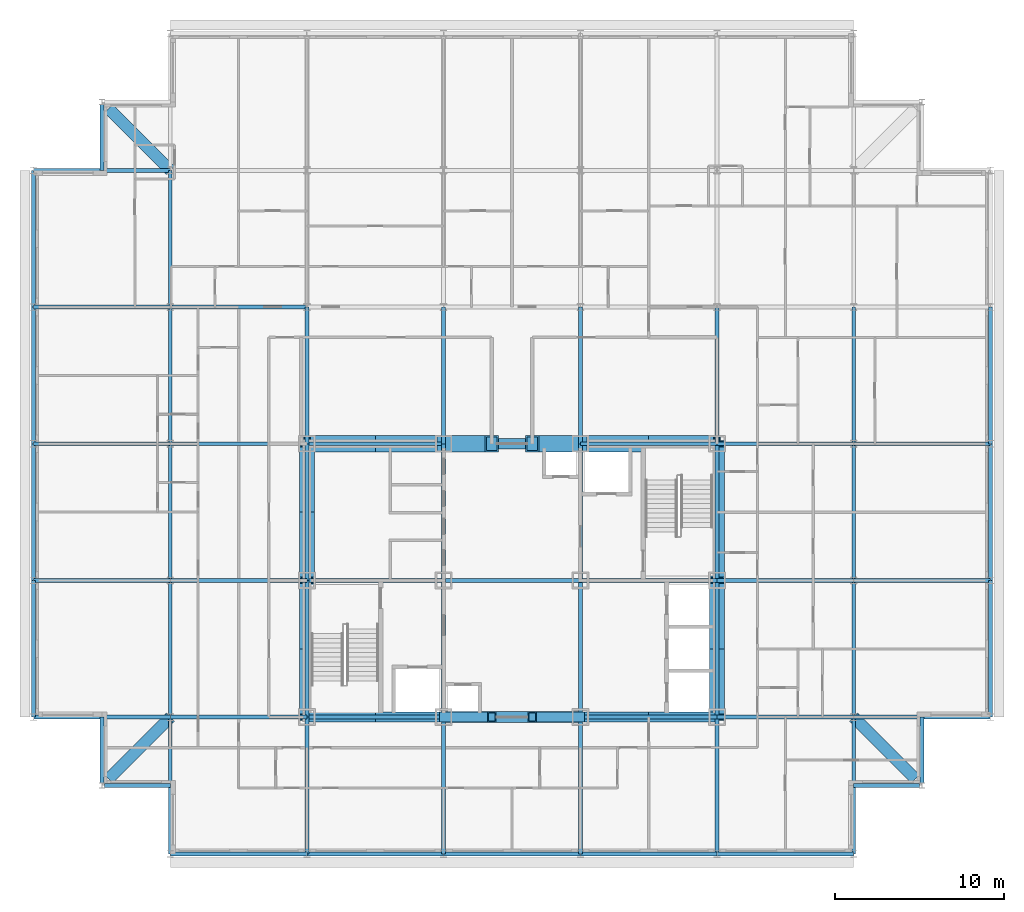
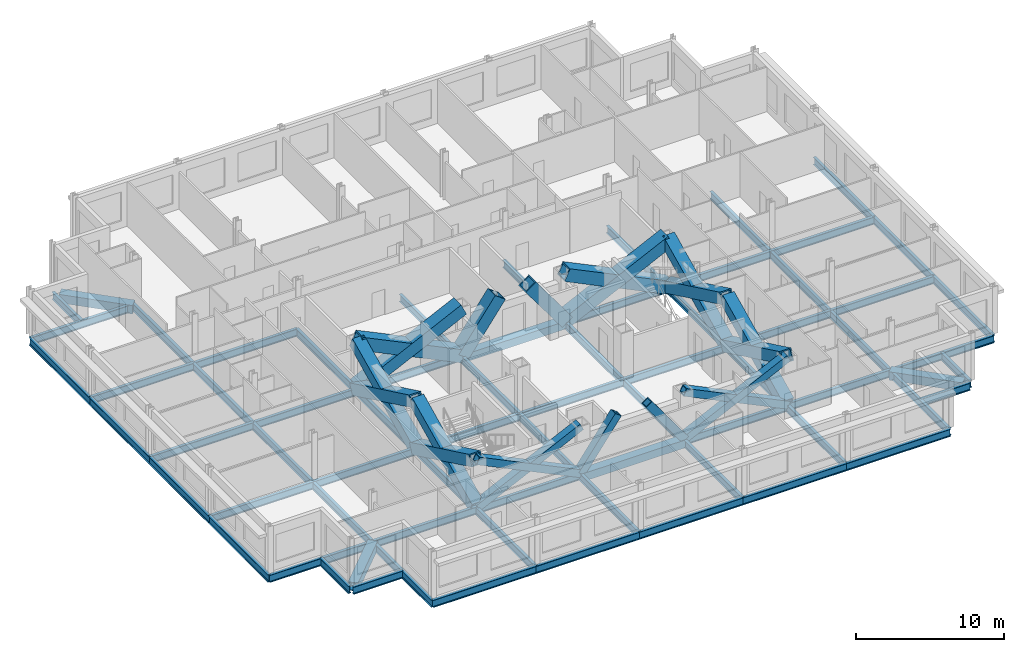
# One storey, part 5 of 15: 69 beams, 20 members.
"""IFC4 building model written with IfcOpenShell, lengths in metres."""

from ifc_helpers import new_model, si_unit, direction, frame, origin, origin_2d, place, context, subcontext, project, spatial, hollow_rectangle, i_section, extrude, material, material_profile, profile_set, type_object, element, save


model = new_model("IFC4")

# Units and contexts
model_context = context("Model", 3, precision=1e-05, world=origin(), true_north=direction((0.0, 1.0)))
body_context = subcontext(model_context, "Body", "Model", "MODEL_VIEW")
ifc_project = project(units=[si_unit("LENGTHUNIT", "METRE"), si_unit("AREAUNIT", "SQUARE_METRE"), si_unit("VOLUMEUNIT", "CUBIC_METRE"), si_unit("PLANEANGLEUNIT", "RADIAN"), si_unit("MASSUNIT", "GRAM", prefix="KILO")], contexts=[model_context])

# Site, building, storey
site_placement = place(None, origin())
site = spatial("IfcSite", under=ifc_project, at=site_placement, CompositionType="ELEMENT")
building_placement = place(site_placement, origin())
building = spatial("IfcBuilding", under=site, at=building_placement, Name="Kopane Lantern Tower", CompositionType="ELEMENT")
storey_placement = place(building_placement, frame((0.0, 0.0, 281.39990234375)))
storey = spatial("IfcBuildingStorey", under=building, at=storey_placement, Name="L72", CompositionType="ELEMENT", Elevation=281.39990234375)

# Members
ifc_material_1 = material(Name="Steel S355JR", Category="steel")
ifc_material_profile_1 = material_profile(ifc_material_1, hollow_rectangle(XDim=1.0, YDim=1.0, WallThickness=0.10009765625, at=origin_2d()), Name="BOX 1000x1000x100")
ifc_profile_set_1 = profile_set([ifc_material_profile_1], Name="Steel S355JR")
member_type_1 = type_object("IfcMemberType", Name="BRACE BOX 1000x1000x100", PredefinedType="BRACE", material=ifc_profile_set_1)
for number, where, z_axis, x_axis, name in (
    (1, (16.199951171875, 40.5, -0.2099609375), (0.900997345243, 0.0, 0.433824600345), (0.0, 1.0, 0.0), "Core brace L72"),
    (2, (24.300048828125, 40.5, -0.2099609375), (-0.900997345243, 0.0, 0.433824600345), (0.0, -1.0, 0.0), "Core brace L72"),
):
    element("IfcMember", number, at=place(storey_placement, frame(where, z_axis=z_axis, x_axis=x_axis)), inside=storey, type_object=member_type_1, Name=name, PredefinedType="BRACE", context=body_context, shape_type="SweptSolid", body=[
        extrude(hollow_rectangle(XDim=1.0, YDim=1.0, WallThickness=0.10009765625, at=origin_2d()), origin(), (0.0, 0.0, 1.0), 8.990234375),
    ])
for number, where, z_axis, x_axis, name in (
    (3, (24.300048828125, 40.5, -0.2099609375), (0.589982373942, 0.0, 0.807416124708), (0.0, 1.0, 0.0), "Core brace L72"),
    (4, (32.39990234375, 40.5, -0.2099609375), (-0.589982373942, 0.0, 0.807416124708), (0.0, -1.0, 0.0), "Core brace L72"),
):
    element("IfcMember", number, at=place(storey_placement, frame(where, z_axis=z_axis, x_axis=x_axis)), inside=storey, type_object=member_type_1, Name=name, PredefinedType="BRACE", context=body_context, shape_type="SweptSolid", body=[
        extrude(hollow_rectangle(XDim=1.0, YDim=1.0, WallThickness=0.10009765625, at=origin_2d()), origin(), (0.0, 0.0, 1.0), 4.830322265625),
    ])
for number, where, z_axis, x_axis, name in (
    (5, (32.39990234375, 40.5, -0.2099609375), (0.900997345243, 0.0, 0.433824600345), (0.0, 1.0, 0.0), "Core brace L72"),
    (6, (40.5, 40.5, -0.2099609375), (-0.900997345243, 0.0, 0.433824600345), (0.0, -1.0, 0.0), "Core brace L72"),
):
    element("IfcMember", number, at=place(storey_placement, frame(where, z_axis=z_axis, x_axis=x_axis)), inside=storey, type_object=member_type_1, Name=name, PredefinedType="BRACE", context=body_context, shape_type="SweptSolid", body=[
        extrude(hollow_rectangle(XDim=1.0, YDim=1.0, WallThickness=0.10009765625, at=origin_2d()), origin(), (0.0, 0.0, 1.0), 8.990234375),
    ])
ifc_material_2 = material(Name="Steel S355JR", Category="steel")
ifc_material_profile_2 = material_profile(ifc_material_2, hollow_rectangle(XDim=0.60009765625, YDim=0.60009765625, WallThickness=0.06005859375, at=origin_2d()), Name="BOX 600x600x60")
ifc_profile_set_2 = profile_set([ifc_material_profile_2], Name="Steel S355JR")
member_type_2 = type_object("IfcMemberType", Name="BRACE BOX 600x600x60", PredefinedType="BRACE", material=ifc_profile_set_2)
for number, where, z_axis, x_axis, name in (
    (7, (16.199951171875, 24.300048828125, -0.2099609375), (0.900997345243, 0.0, 0.433824600345), (0.0, 1.0, 0.0), "Core brace L72"),
    (8, (24.300048828125, 24.300048828125, -0.2099609375), (-0.900997345243, 0.0, 0.433824600345), (0.0, -1.0, 0.0), "Core brace L72"),
):
    element("IfcMember", number, at=place(storey_placement, frame(where, z_axis=z_axis, x_axis=x_axis)), inside=storey, type_object=member_type_2, Name=name, PredefinedType="BRACE", context=body_context, shape_type="SweptSolid", body=[
        extrude(hollow_rectangle(XDim=0.60009765625, YDim=0.60009765625, WallThickness=0.06005859375, at=origin_2d()), origin(), (0.0, 0.0, 1.0), 8.990234375),
    ])
for number, where, z_axis, x_axis, name in (
    (9, (24.300048828125, 24.300048828125, -0.2099609375), (0.589982373942, 0.0, 0.807416124708), (0.0, 1.0, 0.0), "Core brace L72"),
    (10, (32.39990234375, 24.300048828125, -0.2099609375), (-0.589982373942, 0.0, 0.807416124708), (0.0, -1.0, 0.0), "Core brace L72"),
):
    element("IfcMember", number, at=place(storey_placement, frame(where, z_axis=z_axis, x_axis=x_axis)), inside=storey, type_object=member_type_2, Name=name, PredefinedType="BRACE", context=body_context, shape_type="SweptSolid", body=[
        extrude(hollow_rectangle(XDim=0.60009765625, YDim=0.60009765625, WallThickness=0.06005859375, at=origin_2d()), origin(), (0.0, 0.0, 1.0), 4.830322265625),
    ])
for number, where, z_axis, x_axis, name in (
    (11, (32.39990234375, 24.300048828125, -0.2099609375), (0.900997345243, 0.0, 0.433824600345), (0.0, 1.0, 0.0), "Core brace L72"),
    (12, (40.5, 24.300048828125, -0.2099609375), (-0.900997345243, 0.0, 0.433824600345), (0.0, -1.0, 0.0), "Core brace L72"),
):
    element("IfcMember", number, at=place(storey_placement, frame(where, z_axis=z_axis, x_axis=x_axis)), inside=storey, type_object=member_type_2, Name=name, PredefinedType="BRACE", context=body_context, shape_type="SweptSolid", body=[
        extrude(hollow_rectangle(XDim=0.60009765625, YDim=0.60009765625, WallThickness=0.06005859375, at=origin_2d()), origin(), (0.0, 0.0, 1.0), 8.990234375),
    ])
ifc_material_3 = material(Name="Steel S355JR", Category="steel")
ifc_material_profile_3 = material_profile(ifc_material_3, hollow_rectangle(XDim=0.89990234375, YDim=0.89990234375, WallThickness=0.090087890625, at=origin_2d()), Name="BOX 900x900x90")
ifc_profile_set_3 = profile_set([ifc_material_profile_3], Name="Steel S355JR")
member_type_3 = type_object("IfcMemberType", Name="BRACE BOX 900x900x90", PredefinedType="BRACE", material=ifc_profile_set_3)
for number, where, z_axis, x_axis, name in (
    (13, (16.199951171875, 24.300048828125, -0.2099609375), (0.0, 0.900992234105, 0.433835215355), (-1.0, 0.0, 0.0), "Core brace L72"),
    (14, (16.199951171875, 32.39990234375, -0.2099609375), (0.0, -0.900992234105, 0.433835215355), (1.0, 0.0, 0.0), "Core brace L72"),
):
    element("IfcMember", number, at=place(storey_placement, frame(where, z_axis=z_axis, x_axis=x_axis)), inside=storey, type_object=member_type_3, Name=name, PredefinedType="BRACE", context=body_context, shape_type="SweptSolid", body=[
        extrude(hollow_rectangle(XDim=0.89990234375, YDim=0.89990234375, WallThickness=0.090087890625, at=origin_2d()), origin(), (0.0, 0.0, 1.0), 8.989990234375),
    ])
for number, where, z_axis, x_axis, name in (
    (15, (16.199951171875, 32.39990234375, -0.2099609375), (0.0, 0.900997345243, 0.433824600345), (-1.0, 0.0, 0.0), "Core brace L72"),
    (16, (16.199951171875, 40.5, -0.2099609375), (0.0, -0.900997345243, 0.433824600345), (1.0, 0.0, 0.0), "Core brace L72"),
):
    element("IfcMember", number, at=place(storey_placement, frame(where, z_axis=z_axis, x_axis=x_axis)), inside=storey, type_object=member_type_3, Name=name, PredefinedType="BRACE", context=body_context, shape_type="SweptSolid", body=[
        extrude(hollow_rectangle(XDim=0.89990234375, YDim=0.89990234375, WallThickness=0.090087890625, at=origin_2d()), origin(), (0.0, 0.0, 1.0), 8.990234375),
    ])
for number, where, z_axis, x_axis, name in (
    (17, (40.5, 24.300048828125, -0.2099609375), (0.0, 0.900992234105, 0.433835215355), (-1.0, 0.0, 0.0), "Core brace L72"),
    (18, (40.5, 32.39990234375, -0.2099609375), (0.0, -0.900992234105, 0.433835215355), (1.0, 0.0, 0.0), "Core brace L72"),
):
    element("IfcMember", number, at=place(storey_placement, frame(where, z_axis=z_axis, x_axis=x_axis)), inside=storey, type_object=member_type_3, Name=name, PredefinedType="BRACE", context=body_context, shape_type="SweptSolid", body=[
        extrude(hollow_rectangle(XDim=0.89990234375, YDim=0.89990234375, WallThickness=0.090087890625, at=origin_2d()), origin(), (0.0, 0.0, 1.0), 8.989990234375),
    ])
for number, where, z_axis, x_axis, name in (
    (19, (40.5, 32.39990234375, -0.2099609375), (0.0, 0.900997345243, 0.433824600345), (-1.0, 0.0, 0.0), "Core brace L72"),
    (20, (40.5, 40.5, -0.2099609375), (0.0, -0.900997345243, 0.433824600345), (1.0, 0.0, 0.0), "Core brace L72"),
):
    element("IfcMember", number, at=place(storey_placement, frame(where, z_axis=z_axis, x_axis=x_axis)), inside=storey, type_object=member_type_3, Name=name, PredefinedType="BRACE", context=body_context, shape_type="SweptSolid", body=[
        extrude(hollow_rectangle(XDim=0.89990234375, YDim=0.89990234375, WallThickness=0.090087890625, at=origin_2d()), origin(), (0.0, 0.0, 1.0), 8.990234375),
    ])

# Beams
ifc_material_4 = material(Name="Steel S355JR", Category="steel")
ifc_material_profile_4 = material_profile(ifc_material_4, i_section(OverallWidth=0.22900390625, OverallDepth=0.6123046875, WebThickness=0.011962890625, FlangeThickness=0.01953125, FilletRadius=0.0126953125, at=origin_2d()), Name="UB 610x229x125")
ifc_profile_set_4 = profile_set([ifc_material_profile_4], Name="Steel S355JR")
beam_type_1 = type_object("IfcBeamType", Name="CORE BEAM UB 610x229x125", PredefinedType="BEAM", material=ifc_profile_set_4)
beam_1_placement = place(storey_placement, frame((16.199951171875, 32.39990234375, -0.51611328125), z_axis=(1.0, 0.0, 0.0), x_axis=(0.0, 1.0, 0.0)))
element("IfcBeam", 21, at=beam_1_placement, inside=storey, type_object=beam_type_1, Name="Core Beam L72", PredefinedType="BEAM", context=body_context, shape_type="SweptSolid", body=[
    extrude(i_section(OverallWidth=0.22900390625, OverallDepth=0.6123046875, WebThickness=0.011962890625, FlangeThickness=0.01953125, FilletRadius=0.0126953125, at=origin_2d()), origin(), (0.0, 0.0, 1.0), 8.10009765625),
])
beam_2_placement = place(storey_placement, frame((24.300048828125, 24.300048828125, -0.51611328125), z_axis=(0.0, 1.0, 0.0), x_axis=(-1.0, 0.0, 0.0)))
element("IfcBeam", 22, at=beam_2_placement, inside=storey, type_object=beam_type_1, Name="Core Beam L72", PredefinedType="BEAM", context=body_context, shape_type="SweptSolid", body=[
    extrude(i_section(OverallWidth=0.22900390625, OverallDepth=0.6123046875, WebThickness=0.011962890625, FlangeThickness=0.01953125, FilletRadius=0.0126953125, at=origin_2d()), origin(), (0.0, 0.0, 1.0), 8.099853515625),
])
beam_3_placement = place(storey_placement, frame((24.300048828125, 32.39990234375, -0.51611328125), z_axis=(0.0, 1.0, 0.0), x_axis=(-1.0, 0.0, 0.0)))
element("IfcBeam", 23, at=beam_3_placement, inside=storey, type_object=beam_type_1, Name="Core Beam L72", PredefinedType="BEAM", context=body_context, shape_type="SweptSolid", body=[
    extrude(i_section(OverallWidth=0.22900390625, OverallDepth=0.6123046875, WebThickness=0.011962890625, FlangeThickness=0.01953125, FilletRadius=0.0126953125, at=origin_2d()), origin(), (0.0, 0.0, 1.0), 8.10009765625),
])
for number, where, z_axis, x_axis, name in (
    (24, (24.300048828125, 32.39990234375, -0.51611328125), (1.0, 0.0, 0.0), (0.0, 1.0, 0.0), "Core Beam L72"),
    (25, (32.39990234375, 24.300048828125, -0.51611328125), (0.0, 1.0, 0.0), (-1.0, 0.0, 0.0), "Core Beam L72"),
):
    element("IfcBeam", number, at=place(storey_placement, frame(where, z_axis=z_axis, x_axis=x_axis)), inside=storey, type_object=beam_type_1, Name=name, PredefinedType="BEAM", context=body_context, shape_type="SweptSolid", body=[
        extrude(i_section(OverallWidth=0.22900390625, OverallDepth=0.6123046875, WebThickness=0.011962890625, FlangeThickness=0.01953125, FilletRadius=0.0126953125, at=origin_2d()), origin(), (0.0, 0.0, 1.0), 8.099853515625),
    ])
for number, where, z_axis, x_axis, name in (
    (26, (32.39990234375, 32.39990234375, -0.51611328125), (0.0, 1.0, 0.0), (-1.0, 0.0, 0.0), "Core Beam L72"),
    (27, (32.39990234375, 32.39990234375, -0.51611328125), (1.0, 0.0, 0.0), (0.0, 1.0, 0.0), "Core Beam L72"),
):
    element("IfcBeam", number, at=place(storey_placement, frame(where, z_axis=z_axis, x_axis=x_axis)), inside=storey, type_object=beam_type_1, Name=name, PredefinedType="BEAM", context=body_context, shape_type="SweptSolid", body=[
        extrude(i_section(OverallWidth=0.22900390625, OverallDepth=0.6123046875, WebThickness=0.011962890625, FlangeThickness=0.01953125, FilletRadius=0.0126953125, at=origin_2d()), origin(), (0.0, 0.0, 1.0), 8.10009765625),
    ])
ifc_material_5 = material(Name="Steel S355JR", Category="steel")
ifc_material_profile_5 = material_profile(ifc_material_5, hollow_rectangle(XDim=0.699951171875, YDim=0.699951171875, WallThickness=0.06005859375, at=origin_2d()), Name="BOX 700x700x60")
ifc_profile_set_5 = profile_set([ifc_material_profile_5], Name="Steel S355JR")
beam_type_2 = type_object("IfcBeamType", Name="CORNER TIE BEAM BOX 700x700x60", PredefinedType="BEAM", material=ifc_profile_set_5)
for number, where, z_axis, x_axis, name in (
    (28, (4.447509765625, 20.6474609375, -0.559814453125), (0.707106781187, 0.707106781187, 0.0), (-0.707106781187, 0.707106781187, 0.0), "Corner Tie Beam L72"),
    (29, (4.447509765625, 60.3525390625, -0.559814453125), (0.707106781187, -0.707106781187, 0.0), (0.707106781187, 0.707106781187, 0.0), "Corner Tie Beam L72"),
):
    element("IfcBeam", number, at=place(storey_placement, frame(where, z_axis=z_axis, x_axis=x_axis)), inside=storey, type_object=beam_type_2, Name=name, PredefinedType="BEAM", context=body_context, shape_type="SweptSolid", body=[
        extrude(hollow_rectangle(XDim=0.699951171875, YDim=0.699951171875, WallThickness=0.06005859375, at=origin_2d()), origin(), (0.0, 0.0, 1.0), 5.16552734375),
    ])
beam_4_placement = place(storey_placement, frame((52.25244140625, 20.6474609375, -0.559814453125), z_axis=(-0.707083148333, 0.70713041325, 0.0), x_axis=(-0.70713041325, -0.707083148333, 0.0)))
element("IfcBeam", 30, at=beam_4_placement, inside=storey, type_object=beam_type_2, Name="Corner Tie Beam L72", PredefinedType="BEAM", context=body_context, shape_type="SweptSolid", body=[
    extrude(hollow_rectangle(XDim=0.699951171875, YDim=0.699951171875, WallThickness=0.06005859375, at=origin_2d()), origin(), (0.0, 0.0, 1.0), 5.165283203125),
])
ifc_material_6 = material(Name="Steel S355JR", Category="steel")
ifc_material_profile_6 = material_profile(ifc_material_6, i_section(OverallWidth=0.22900390625, OverallDepth=0.6123046875, WebThickness=0.011962890625, FlangeThickness=0.01953125, FilletRadius=0.0126953125, at=origin_2d()), Name="UB 610x229x125")
ifc_profile_set_6 = profile_set([ifc_material_profile_6], Name="Steel S355JR")
beam_type_3 = type_object("IfcBeamType", Name="EDGE BEAM UB 610x229x125", PredefinedType="BEAM", material=ifc_profile_set_6)
beam_5_placement = place(storey_placement, frame((4.050048828125, 20.40380859375, -0.51611328125), z_axis=(0.0, 1.0, 0.0), x_axis=(-1.0, 0.0, 0.0)))
element("IfcBeam", 31, at=beam_5_placement, inside=storey, type_object=beam_type_3, Name="Edge Beam L72", PredefinedType="BEAM", context=body_context, shape_type="SweptSolid", body=[
    extrude(i_section(OverallWidth=0.22900390625, OverallDepth=0.6123046875, WebThickness=0.011962890625, FlangeThickness=0.01953125, FilletRadius=0.0126953125, at=origin_2d()), origin(), (0.0, 0.0, 1.0), 3.896240234375),
])
beam_6_placement = place(storey_placement, frame((4.20361328125, 20.25, -0.51611328125), z_axis=(1.0, 0.0, 0.0), x_axis=(0.0, 1.0, 0.0)))
element("IfcBeam", 32, at=beam_6_placement, inside=storey, type_object=beam_type_3, Name="Edge Beam L72", PredefinedType="BEAM", context=body_context, shape_type="SweptSolid", body=[
    extrude(i_section(OverallWidth=0.22900390625, OverallDepth=0.6123046875, WebThickness=0.011962890625, FlangeThickness=0.01953125, FilletRadius=0.0126953125, at=origin_2d()), origin(), (0.0, 0.0, 1.0), 3.896484375),
])
for number, where, z_axis, x_axis, name in (
    (33, (4.050048828125, 60.59619140625, -0.51611328125), (0.0, -1.0, 0.0), (1.0, 0.0, 0.0), "Edge Beam L72"),
    (34, (52.496337890625, 20.25, -0.51611328125), (-1.0, 0.0, 0.0), (0.0, -1.0, 0.0), "Edge Beam L72"),
    (35, (52.64990234375, 20.40380859375, -0.51611328125), (0.0, 1.0, 0.0), (-1.0, 0.0, 0.0), "Edge Beam L72"),
):
    element("IfcBeam", number, at=place(storey_placement, frame(where, z_axis=z_axis, x_axis=x_axis)), inside=storey, type_object=beam_type_3, Name=name, PredefinedType="BEAM", context=body_context, shape_type="SweptSolid", body=[
        extrude(i_section(OverallWidth=0.22900390625, OverallDepth=0.6123046875, WebThickness=0.011962890625, FlangeThickness=0.01953125, FilletRadius=0.0126953125, at=origin_2d()), origin(), (0.0, 0.0, 1.0), 3.896240234375),
    ])
ifc_material_7 = material(Name="Steel S355JR", Category="steel")
ifc_material_profile_7 = material_profile(ifc_material_7, i_section(OverallWidth=0.22900390625, OverallDepth=0.6123046875, WebThickness=0.011962890625, FlangeThickness=0.01953125, FilletRadius=0.0126953125, at=origin_2d()), Name="UB 610x229x125")
ifc_profile_set_7 = profile_set([ifc_material_profile_7], Name="Steel S355JR")
beam_type_4 = type_object("IfcBeamType", Name="GIRDER UB 610x229x125", PredefinedType="BEAM", material=ifc_profile_set_7)
beam_7_placement = place(storey_placement, frame((0.0, 24.300048828125, -0.51611328125), z_axis=(0.0, 1.0, 0.0), x_axis=(-1.0, 0.0, 0.0)))
element("IfcBeam", 36, at=beam_7_placement, inside=storey, type_object=beam_type_4, Name="Girder L72", PredefinedType="BEAM", context=body_context, shape_type="SweptSolid", body=[
    extrude(i_section(OverallWidth=0.22900390625, OverallDepth=0.6123046875, WebThickness=0.011962890625, FlangeThickness=0.01953125, FilletRadius=0.0126953125, at=origin_2d()), origin(), (0.0, 0.0, 1.0), 8.099853515625),
])
for number, where, z_axis, x_axis, name in (
    (37, (0.0, 24.300048828125, -0.51611328125), (1.0, 0.0, 0.0), (0.0, 1.0, 0.0), "Girder L72"),
    (38, (0.0, 32.39990234375, -0.51611328125), (0.0, 1.0, 0.0), (-1.0, 0.0, 0.0), "Girder L72"),
    (39, (0.0, 32.39990234375, -0.51611328125), (1.0, 0.0, 0.0), (0.0, 1.0, 0.0), "Girder L72"),
    (40, (0.0, 40.5, -0.51611328125), (0.0, 1.0, 0.0), (-1.0, 0.0, 0.0), "Girder L72"),
    (41, (0.0, 40.5, -0.51611328125), (1.0, 0.0, 0.0), (0.0, 1.0, 0.0), "Girder L72"),
):
    element("IfcBeam", number, at=place(storey_placement, frame(where, z_axis=z_axis, x_axis=x_axis)), inside=storey, type_object=beam_type_4, Name=name, PredefinedType="BEAM", context=body_context, shape_type="SweptSolid", body=[
        extrude(i_section(OverallWidth=0.22900390625, OverallDepth=0.6123046875, WebThickness=0.011962890625, FlangeThickness=0.01953125, FilletRadius=0.0126953125, at=origin_2d()), origin(), (0.0, 0.0, 1.0), 8.10009765625),
    ])
beam_8_placement = place(storey_placement, frame((0.0, 48.60009765625, -0.51611328125), z_axis=(0.0, 1.0, 0.0), x_axis=(-1.0, 0.0, 0.0)))
element("IfcBeam", 42, at=beam_8_placement, inside=storey, type_object=beam_type_4, Name="Girder L72", PredefinedType="BEAM", context=body_context, shape_type="SweptSolid", body=[
    extrude(i_section(OverallWidth=0.22900390625, OverallDepth=0.6123046875, WebThickness=0.011962890625, FlangeThickness=0.01953125, FilletRadius=0.0126953125, at=origin_2d()), origin(), (0.0, 0.0, 1.0), 8.099853515625),
])
for number, where, z_axis, x_axis, name in (
    (43, (0.0, 48.60009765625, -0.51611328125), (1.0, 0.0, 0.0), (0.0, 1.0, 0.0), "Girder L72"),
    (44, (0.0, 56.699951171875, -0.51611328125), (1.0, 0.0, 0.0), (0.0, 1.0, 0.0), "Girder L72"),
    (45, (8.10009765625, 16.199951171875, -0.51611328125), (0.0, 1.0, 0.0), (-1.0, 0.0, 0.0), "Girder L72"),
):
    element("IfcBeam", number, at=place(storey_placement, frame(where, z_axis=z_axis, x_axis=x_axis)), inside=storey, type_object=beam_type_4, Name=name, PredefinedType="BEAM", context=body_context, shape_type="SweptSolid", body=[
        extrude(i_section(OverallWidth=0.22900390625, OverallDepth=0.6123046875, WebThickness=0.011962890625, FlangeThickness=0.01953125, FilletRadius=0.0126953125, at=origin_2d()), origin(), (0.0, 0.0, 1.0), 8.10009765625),
    ])
for number, where, z_axis, x_axis, name in (
    (46, (8.10009765625, 16.199951171875, -0.51611328125), (1.0, 0.0, 0.0), (0.0, 1.0, 0.0), "Girder L72"),
    (47, (8.10009765625, 24.300048828125, -0.51611328125), (0.0, 1.0, 0.0), (-1.0, 0.0, 0.0), "Girder L72"),
    (48, (8.10009765625, 24.300048828125, -0.51611328125), (1.0, 0.0, 0.0), (0.0, 1.0, 0.0), "Girder L72"),
):
    element("IfcBeam", number, at=place(storey_placement, frame(where, z_axis=z_axis, x_axis=x_axis)), inside=storey, type_object=beam_type_4, Name=name, PredefinedType="BEAM", context=body_context, shape_type="SweptSolid", body=[
        extrude(i_section(OverallWidth=0.22900390625, OverallDepth=0.6123046875, WebThickness=0.011962890625, FlangeThickness=0.01953125, FilletRadius=0.0126953125, at=origin_2d()), origin(), (0.0, 0.0, 1.0), 8.099853515625),
    ])
beam_9_placement = place(storey_placement, frame((8.10009765625, 32.39990234375, -0.51611328125), z_axis=(0.0, 1.0, 0.0), x_axis=(-1.0, 0.0, 0.0)))
element("IfcBeam", 49, at=beam_9_placement, inside=storey, type_object=beam_type_4, Name="Girder L72", PredefinedType="BEAM", context=body_context, shape_type="SweptSolid", body=[
    extrude(i_section(OverallWidth=0.22900390625, OverallDepth=0.6123046875, WebThickness=0.011962890625, FlangeThickness=0.01953125, FilletRadius=0.0126953125, at=origin_2d()), origin(), (0.0, 0.0, 1.0), 8.10009765625),
])
beam_10_placement = place(storey_placement, frame((8.10009765625, 32.39990234375, -0.51611328125), z_axis=(1.0, 0.0, 0.0), x_axis=(0.0, 1.0, 0.0)))
element("IfcBeam", 50, at=beam_10_placement, inside=storey, type_object=beam_type_4, Name="Girder L72", PredefinedType="BEAM", context=body_context, shape_type="SweptSolid", body=[
    extrude(i_section(OverallWidth=0.22900390625, OverallDepth=0.6123046875, WebThickness=0.011962890625, FlangeThickness=0.01953125, FilletRadius=0.0126953125, at=origin_2d()), origin(), (0.0, 0.0, 1.0), 8.099853515625),
])
beam_11_placement = place(storey_placement, frame((8.10009765625, 40.5, -0.51611328125), z_axis=(0.0, 1.0, 0.0), x_axis=(-1.0, 0.0, 0.0)))
element("IfcBeam", 51, at=beam_11_placement, inside=storey, type_object=beam_type_4, Name="Girder L72", PredefinedType="BEAM", context=body_context, shape_type="SweptSolid", body=[
    extrude(i_section(OverallWidth=0.22900390625, OverallDepth=0.6123046875, WebThickness=0.011962890625, FlangeThickness=0.01953125, FilletRadius=0.0126953125, at=origin_2d()), origin(), (0.0, 0.0, 1.0), 8.10009765625),
])
for number, where, z_axis, x_axis, name in (
    (52, (8.10009765625, 40.5, -0.51611328125), (1.0, 0.0, 0.0), (0.0, 1.0, 0.0), "Girder L72"),
    (53, (8.10009765625, 48.60009765625, -0.51611328125), (0.0, 1.0, 0.0), (-1.0, 0.0, 0.0), "Girder L72"),
    (54, (8.10009765625, 48.60009765625, -0.51611328125), (1.0, 0.0, 0.0), (0.0, 1.0, 0.0), "Girder L72"),
):
    element("IfcBeam", number, at=place(storey_placement, frame(where, z_axis=z_axis, x_axis=x_axis)), inside=storey, type_object=beam_type_4, Name=name, PredefinedType="BEAM", context=body_context, shape_type="SweptSolid", body=[
        extrude(i_section(OverallWidth=0.22900390625, OverallDepth=0.6123046875, WebThickness=0.011962890625, FlangeThickness=0.01953125, FilletRadius=0.0126953125, at=origin_2d()), origin(), (0.0, 0.0, 1.0), 8.099853515625),
    ])
for number, where, z_axis, x_axis, name in (
    (55, (16.199951171875, 16.199951171875, -0.51611328125), (0.0, 1.0, 0.0), (-1.0, 0.0, 0.0), "Girder L72"),
    (56, (16.199951171875, 16.199951171875, -0.51611328125), (1.0, 0.0, 0.0), (0.0, 1.0, 0.0), "Girder L72"),
):
    element("IfcBeam", number, at=place(storey_placement, frame(where, z_axis=z_axis, x_axis=x_axis)), inside=storey, type_object=beam_type_4, Name=name, PredefinedType="BEAM", context=body_context, shape_type="SweptSolid", body=[
        extrude(i_section(OverallWidth=0.22900390625, OverallDepth=0.6123046875, WebThickness=0.011962890625, FlangeThickness=0.01953125, FilletRadius=0.0126953125, at=origin_2d()), origin(), (0.0, 0.0, 1.0), 8.10009765625),
    ])
beam_12_placement = place(storey_placement, frame((16.199951171875, 24.300048828125, -0.51611328125), z_axis=(0.0, 1.0, 0.0), x_axis=(-1.0, 0.0, 0.0)))
element("IfcBeam", 57, at=beam_12_placement, inside=storey, type_object=beam_type_4, Name="Girder L72", PredefinedType="BEAM", context=body_context, shape_type="SweptSolid", body=[
    extrude(i_section(OverallWidth=0.22900390625, OverallDepth=0.6123046875, WebThickness=0.011962890625, FlangeThickness=0.01953125, FilletRadius=0.0126953125, at=origin_2d()), origin(), (0.0, 0.0, 1.0), 8.099853515625),
])
for number, where, z_axis, x_axis, name in (
    (58, (16.199951171875, 24.300048828125, -0.51611328125), (1.0, 0.0, 0.0), (0.0, 1.0, 0.0), "Girder L72"),
    (59, (16.199951171875, 32.39990234375, -0.51611328125), (0.0, 1.0, 0.0), (-1.0, 0.0, 0.0), "Girder L72"),
    (60, (16.199951171875, 40.5, -0.51611328125), (0.0, 1.0, 0.0), (-1.0, 0.0, 0.0), "Girder L72"),
    (61, (16.199951171875, 40.5, -0.51611328125), (1.0, 0.0, 0.0), (0.0, 1.0, 0.0), "Girder L72"),
    (62, (24.300048828125, 16.199951171875, -0.51611328125), (0.0, 1.0, 0.0), (-1.0, 0.0, 0.0), "Girder L72"),
):
    element("IfcBeam", number, at=place(storey_placement, frame(where, z_axis=z_axis, x_axis=x_axis)), inside=storey, type_object=beam_type_4, Name=name, PredefinedType="BEAM", context=body_context, shape_type="SweptSolid", body=[
        extrude(i_section(OverallWidth=0.22900390625, OverallDepth=0.6123046875, WebThickness=0.011962890625, FlangeThickness=0.01953125, FilletRadius=0.0126953125, at=origin_2d()), origin(), (0.0, 0.0, 1.0), 8.10009765625),
    ])
beam_13_placement = place(storey_placement, frame((24.300048828125, 16.199951171875, -0.51611328125), z_axis=(1.0, 0.0, 0.0), x_axis=(0.0, 1.0, 0.0)))
element("IfcBeam", 63, at=beam_13_placement, inside=storey, type_object=beam_type_4, Name="Girder L72", PredefinedType="BEAM", context=body_context, shape_type="SweptSolid", body=[
    extrude(i_section(OverallWidth=0.22900390625, OverallDepth=0.6123046875, WebThickness=0.011962890625, FlangeThickness=0.01953125, FilletRadius=0.0126953125, at=origin_2d()), origin(), (0.0, 0.0, 1.0), 8.099853515625),
])
for number, where, z_axis, x_axis, name in (
    (64, (24.300048828125, 40.5, -0.51611328125), (0.0, 1.0, 0.0), (-1.0, 0.0, 0.0), "Girder L72"),
    (65, (32.39990234375, 16.199951171875, -0.51611328125), (0.0, 1.0, 0.0), (-1.0, 0.0, 0.0), "Girder L72"),
    (66, (32.39990234375, 16.199951171875, -0.51611328125), (1.0, 0.0, 0.0), (0.0, 1.0, 0.0), "Girder L72"),
    (67, (32.39990234375, 24.300048828125, -0.51611328125), (1.0, 0.0, 0.0), (0.0, 1.0, 0.0), "Girder L72"),
    (68, (32.39990234375, 40.5, -0.51611328125), (0.0, 1.0, 0.0), (-1.0, 0.0, 0.0), "Girder L72"),
    (69, (32.39990234375, 40.5, -0.51611328125), (1.0, 0.0, 0.0), (0.0, 1.0, 0.0), "Girder L72"),
    (70, (40.5, 16.199951171875, -0.51611328125), (0.0, 1.0, 0.0), (-1.0, 0.0, 0.0), "Girder L72"),
    (71, (40.5, 16.199951171875, -0.51611328125), (1.0, 0.0, 0.0), (0.0, 1.0, 0.0), "Girder L72"),
):
    element("IfcBeam", number, at=place(storey_placement, frame(where, z_axis=z_axis, x_axis=x_axis)), inside=storey, type_object=beam_type_4, Name=name, PredefinedType="BEAM", context=body_context, shape_type="SweptSolid", body=[
        extrude(i_section(OverallWidth=0.22900390625, OverallDepth=0.6123046875, WebThickness=0.011962890625, FlangeThickness=0.01953125, FilletRadius=0.0126953125, at=origin_2d()), origin(), (0.0, 0.0, 1.0), 8.10009765625),
    ])
beam_14_placement = place(storey_placement, frame((40.5, 24.300048828125, -0.51611328125), z_axis=(0.0, 1.0, 0.0), x_axis=(-1.0, 0.0, 0.0)))
element("IfcBeam", 72, at=beam_14_placement, inside=storey, type_object=beam_type_4, Name="Girder L72", PredefinedType="BEAM", context=body_context, shape_type="SweptSolid", body=[
    extrude(i_section(OverallWidth=0.22900390625, OverallDepth=0.6123046875, WebThickness=0.011962890625, FlangeThickness=0.01953125, FilletRadius=0.0126953125, at=origin_2d()), origin(), (0.0, 0.0, 1.0), 8.099853515625),
])
for number, where, z_axis, x_axis, name in (
    (73, (40.5, 24.300048828125, -0.51611328125), (1.0, 0.0, 0.0), (0.0, 1.0, 0.0), "Girder L72"),
    (74, (40.5, 32.39990234375, -0.51611328125), (0.0, 1.0, 0.0), (-1.0, 0.0, 0.0), "Girder L72"),
    (75, (40.5, 32.39990234375, -0.51611328125), (1.0, 0.0, 0.0), (0.0, 1.0, 0.0), "Girder L72"),
    (76, (40.5, 40.5, -0.51611328125), (0.0, 1.0, 0.0), (-1.0, 0.0, 0.0), "Girder L72"),
    (77, (40.5, 40.5, -0.51611328125), (1.0, 0.0, 0.0), (0.0, 1.0, 0.0), "Girder L72"),
    (78, (48.60009765625, 16.199951171875, -0.51611328125), (0.0, 1.0, 0.0), (-1.0, 0.0, 0.0), "Girder L72"),
):
    element("IfcBeam", number, at=place(storey_placement, frame(where, z_axis=z_axis, x_axis=x_axis)), inside=storey, type_object=beam_type_4, Name=name, PredefinedType="BEAM", context=body_context, shape_type="SweptSolid", body=[
        extrude(i_section(OverallWidth=0.22900390625, OverallDepth=0.6123046875, WebThickness=0.011962890625, FlangeThickness=0.01953125, FilletRadius=0.0126953125, at=origin_2d()), origin(), (0.0, 0.0, 1.0), 8.10009765625),
    ])
for number, where, z_axis, x_axis, name in (
    (79, (48.60009765625, 24.300048828125, -0.51611328125), (0.0, 1.0, 0.0), (-1.0, 0.0, 0.0), "Girder L72"),
    (80, (48.60009765625, 24.300048828125, -0.51611328125), (1.0, 0.0, 0.0), (0.0, 1.0, 0.0), "Girder L72"),
):
    element("IfcBeam", number, at=place(storey_placement, frame(where, z_axis=z_axis, x_axis=x_axis)), inside=storey, type_object=beam_type_4, Name=name, PredefinedType="BEAM", context=body_context, shape_type="SweptSolid", body=[
        extrude(i_section(OverallWidth=0.22900390625, OverallDepth=0.6123046875, WebThickness=0.011962890625, FlangeThickness=0.01953125, FilletRadius=0.0126953125, at=origin_2d()), origin(), (0.0, 0.0, 1.0), 8.099853515625),
    ])
beam_15_placement = place(storey_placement, frame((48.60009765625, 32.39990234375, -0.51611328125), z_axis=(0.0, 1.0, 0.0), x_axis=(-1.0, 0.0, 0.0)))
element("IfcBeam", 81, at=beam_15_placement, inside=storey, type_object=beam_type_4, Name="Girder L72", PredefinedType="BEAM", context=body_context, shape_type="SweptSolid", body=[
    extrude(i_section(OverallWidth=0.22900390625, OverallDepth=0.6123046875, WebThickness=0.011962890625, FlangeThickness=0.01953125, FilletRadius=0.0126953125, at=origin_2d()), origin(), (0.0, 0.0, 1.0), 8.10009765625),
])
beam_16_placement = place(storey_placement, frame((48.60009765625, 32.39990234375, -0.51611328125), z_axis=(1.0, 0.0, 0.0), x_axis=(0.0, 1.0, 0.0)))
element("IfcBeam", 82, at=beam_16_placement, inside=storey, type_object=beam_type_4, Name="Girder L72", PredefinedType="BEAM", context=body_context, shape_type="SweptSolid", body=[
    extrude(i_section(OverallWidth=0.22900390625, OverallDepth=0.6123046875, WebThickness=0.011962890625, FlangeThickness=0.01953125, FilletRadius=0.0126953125, at=origin_2d()), origin(), (0.0, 0.0, 1.0), 8.099853515625),
])
beam_17_placement = place(storey_placement, frame((48.60009765625, 40.5, -0.51611328125), z_axis=(0.0, 1.0, 0.0), x_axis=(-1.0, 0.0, 0.0)))
element("IfcBeam", 83, at=beam_17_placement, inside=storey, type_object=beam_type_4, Name="Girder L72", PredefinedType="BEAM", context=body_context, shape_type="SweptSolid", body=[
    extrude(i_section(OverallWidth=0.22900390625, OverallDepth=0.6123046875, WebThickness=0.011962890625, FlangeThickness=0.01953125, FilletRadius=0.0126953125, at=origin_2d()), origin(), (0.0, 0.0, 1.0), 8.10009765625),
])
for number, where, z_axis, x_axis, name in (
    (84, (48.60009765625, 40.5, -0.51611328125), (1.0, 0.0, 0.0), (0.0, 1.0, 0.0), "Girder L72"),
    (85, (56.699951171875, 24.300048828125, -0.51611328125), (0.0, 1.0, 0.0), (-1.0, 0.0, 0.0), "Girder L72"),
):
    element("IfcBeam", number, at=place(storey_placement, frame(where, z_axis=z_axis, x_axis=x_axis)), inside=storey, type_object=beam_type_4, Name=name, PredefinedType="BEAM", context=body_context, shape_type="SweptSolid", body=[
        extrude(i_section(OverallWidth=0.22900390625, OverallDepth=0.6123046875, WebThickness=0.011962890625, FlangeThickness=0.01953125, FilletRadius=0.0126953125, at=origin_2d()), origin(), (0.0, 0.0, 1.0), 8.099853515625),
    ])
for number, where, z_axis, x_axis, name in (
    (86, (56.699951171875, 32.39990234375, -0.51611328125), (0.0, 1.0, 0.0), (-1.0, 0.0, 0.0), "Girder L72"),
    (87, (56.699951171875, 40.5, -0.51611328125), (0.0, 1.0, 0.0), (-1.0, 0.0, 0.0), "Girder L72"),
):
    element("IfcBeam", number, at=place(storey_placement, frame(where, z_axis=z_axis, x_axis=x_axis)), inside=storey, type_object=beam_type_4, Name=name, PredefinedType="BEAM", context=body_context, shape_type="SweptSolid", body=[
        extrude(i_section(OverallWidth=0.22900390625, OverallDepth=0.6123046875, WebThickness=0.011962890625, FlangeThickness=0.01953125, FilletRadius=0.0126953125, at=origin_2d()), origin(), (0.0, 0.0, 1.0), 8.10009765625),
    ])
ifc_material_8 = material(Name="Steel S355JR", Category="steel")
ifc_material_profile_8 = material_profile(ifc_material_8, hollow_rectangle(XDim=0.64990234375, YDim=0.64990234375, WallThickness=0.070068359375, at=origin_2d()), Name="BOX 650x650x70")
ifc_profile_set_8 = profile_set([ifc_material_profile_8], Name="Steel S355JR")
beam_type_5 = type_object("IfcBeamType", Name="LINK BEAM BOX 650x650x70", PredefinedType="BEAM", material=ifc_profile_set_8)
for number, where, z_axis, x_axis, name in (
    (88, (24.300048828125, 24.300048828125, -0.534912109375), (1.0, 0.0, 0.0), (0.0, 1.0, 0.0), "Link Beam L72"),
    (89, (24.300048828125, 40.5, -0.534912109375), (1.0, 0.0, 0.0), (0.0, 1.0, 0.0), "Link Beam L72"),
):
    element("IfcBeam", number, at=place(storey_placement, frame(where, z_axis=z_axis, x_axis=x_axis)), inside=storey, type_object=beam_type_5, Name=name, PredefinedType="BEAM", context=body_context, shape_type="SweptSolid", body=[
        extrude(hollow_rectangle(XDim=0.64990234375, YDim=0.64990234375, WallThickness=0.070068359375, at=origin_2d()), origin(), (0.0, 0.0, 1.0), 8.099853515625),
    ])

save(model, "model.ifc")
